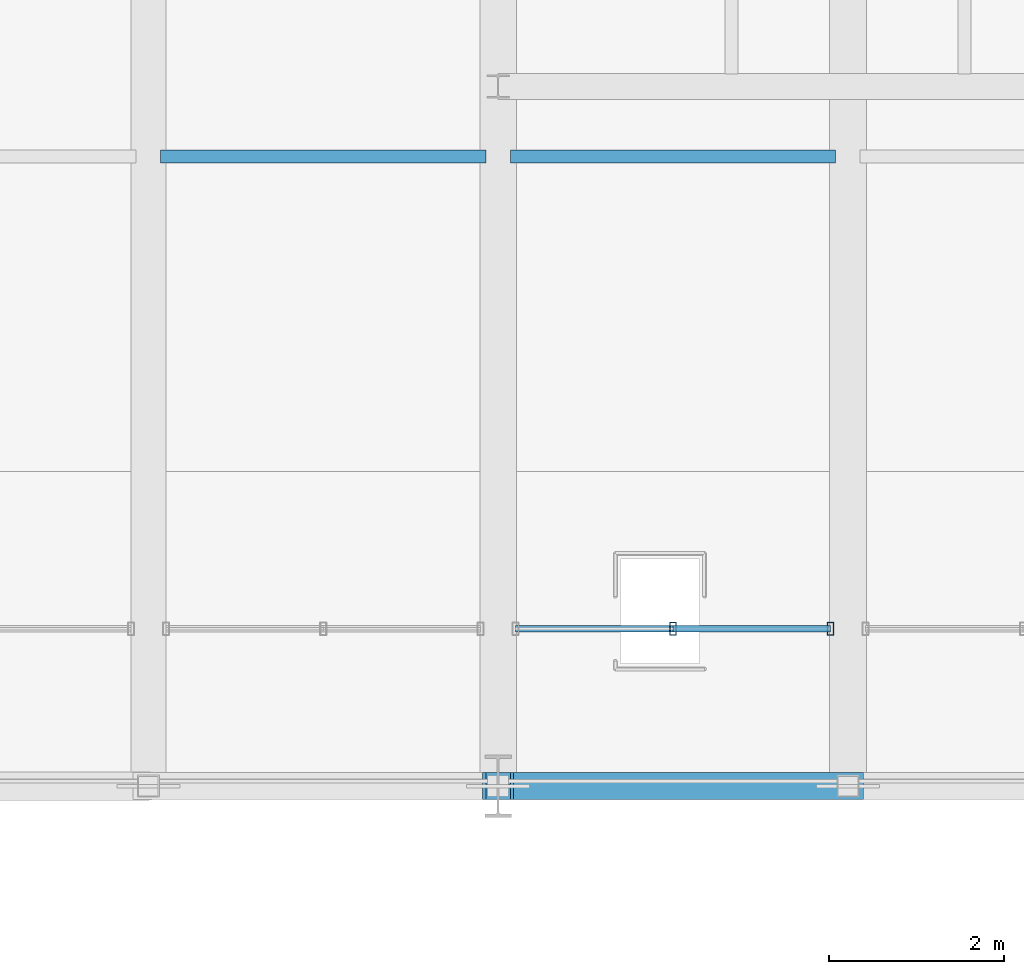
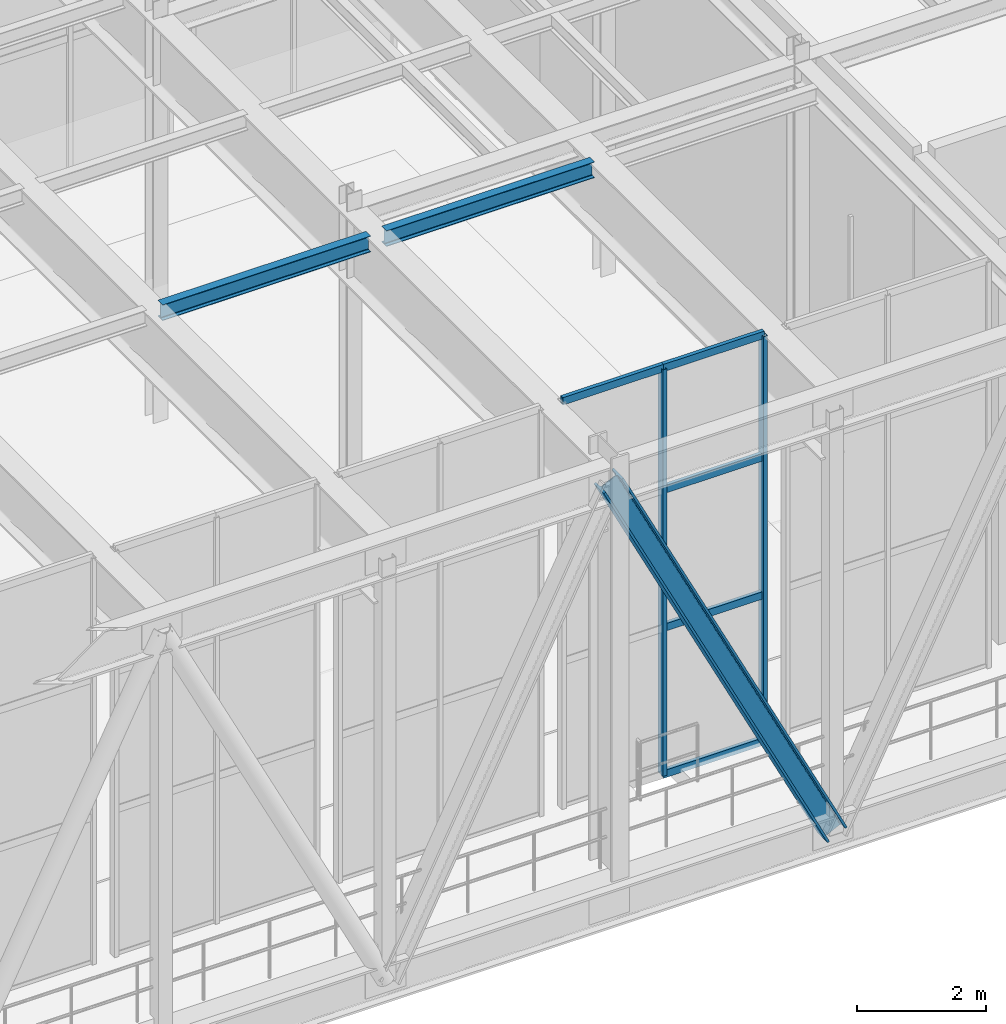
# One storey, part 21 of 138: 8 members, 2 beams, 1 element without a shape of its own.
"""IFC4 building model written with IfcOpenShell, lengths in metres."""

from ifc_helpers import new_model, si_unit, direction, frame, origin, origin_2d, place, context, subcontext, project, spatial, hollow_rectangle, i_section, extrude, material, material_profile, profile_set, type_object, element, aggregate, save


model = new_model("IFC4")

# Units and contexts
model_context = context("Model", 3, precision=1e-05, world=origin(), true_north=direction((0.0, 1.0)))
body_context = subcontext(model_context, "Body", "Model", "MODEL_VIEW")
ifc_project = project(units=[si_unit("LENGTHUNIT", "METRE"), si_unit("AREAUNIT", "SQUARE_METRE"), si_unit("VOLUMEUNIT", "CUBIC_METRE"), si_unit("PLANEANGLEUNIT", "RADIAN"), si_unit("MASSUNIT", "GRAM", prefix="KILO")], contexts=[model_context])

# Site, building, storey
site_placement = place(None, origin())
site = spatial("IfcSite", under=ifc_project, at=site_placement, CompositionType="ELEMENT")
building_placement = place(site_placement, origin())
building = spatial("IfcBuilding", under=site, at=building_placement, Name="Sundkrona Museum", CompositionType="ELEMENT")
storey_placement = place(building_placement, frame((0.0, 0.0, 9.60009765625)))
storey = spatial("IfcBuildingStorey", under=building, at=storey_placement, Name="L02", CompositionType="ELEMENT", Elevation=9.60009765625)

# Beams
ifc_material_1 = material(Name="Steel S355J2", Category="steel")
ifc_material_profile_1 = material_profile(ifc_material_1, i_section(OverallWidth=0.14990234375, OverallDepth=0.300048828125, WebThickness=0.007080078125, FlangeThickness=0.0107421875, FilletRadius=0.014892578125, at=origin_2d()), Name="IPE 300")
ifc_profile_set_1 = profile_set([ifc_material_profile_1], Name="Steel S355J2")
beam_type = type_object("IfcBeamType", Name="J-IPE300", PredefinedType="JOIST", material=ifc_profile_set_1)
for number, where, z_axis, x_axis, name in (
    (1, (12.139892578125, 39.199951171875, 7.52490234375), (1.0, 0.0, 0.0), (0.0, 1.0, 0.0), "L02 Cantilever Floor Joist"),
    (2, (16.139892578125, 39.199951171875, 7.52490234375), (1.0, 0.0, 0.0), (0.0, 1.0, 0.0), "L02 Cantilever Floor Joist"),
):
    element("IfcBeam", number, at=place(storey_placement, frame(where, z_axis=z_axis, x_axis=x_axis)), inside=storey, type_object=beam_type, Name=name, PredefinedType="JOIST", context=body_context, shape_type="SweptSolid", body=[
        extrude(i_section(OverallWidth=0.14990234375, OverallDepth=0.300048828125, WebThickness=0.007080078125, FlangeThickness=0.0107421875, FilletRadius=0.014892578125, at=origin_2d()), origin(), (0.0, 0.0, 1.0), 3.72021484375),
    ])

# Curtain wall, members
ifc_material_2 = material(Name="Unitised Aluminium-Steel and Ceramic-Clad Curtain Walling", Category="steel")
curtain_wall_type = type_object("IfcCurtainWallType", Name="CW-CV-36x74", PredefinedType="NOTDEFINED", material=ifc_material_2)
curtain_wall_placement = place(storey_placement, origin())
curtain_wall = element("IfcCurtainWall", 3, at=curtain_wall_placement, inside=storey, type_object=curtain_wall_type, Name="L02 Curtain Wall CW-L02-148", PredefinedType="NOTDEFINED")
ifc_material_3 = material(Name="Aluminium EN AW-6060 T66", Category="aluminium")
ifc_material_profile_2 = material_profile(ifc_material_3, hollow_rectangle(XDim=0.074951171875, YDim=0.14990234375, WallThickness=0.00634765625, at=origin_2d()), Name="RHS 150x75x6.3")
ifc_profile_set_2 = profile_set([ifc_material_profile_2], Name="Aluminium EN AW-6060 T66")
member_type_1 = type_object("IfcMemberType", Name="ML-150", PredefinedType="MULLION", material=ifc_profile_set_2)
member_1_placement = place(storey_placement, frame((18.0, 33.800048828125, -0.004150390625), z_axis=(0.0, 0.0, 1.0), x_axis=(1.0, 0.0, 0.0)))
member_1 = element("IfcMember", 4, at=member_1_placement, type_object=member_type_1, Name="CW-L02-148 Mullion 02", PredefinedType="MULLION", context=body_context, shape_type="SweptSolid", body=[
    extrude(hollow_rectangle(XDim=0.074951171875, YDim=0.14990234375, WallThickness=0.00634765625, at=origin_2d()), origin(), (0.0, 0.0, 1.0), 7.68310546875),
])
member_2_placement = place(storey_placement, frame((19.800048828125, 33.800048828125, -0.004150390625), z_axis=(0.0, 0.0, 1.0), x_axis=(1.0, 0.0, 0.0)))
member_2 = element("IfcMember", 5, at=member_2_placement, type_object=member_type_1, Name="CW-L02-148 Mullion 03", PredefinedType="MULLION", context=body_context, shape_type="SweptSolid", body=[
    extrude(hollow_rectangle(XDim=0.074951171875, YDim=0.14990234375, WallThickness=0.00634765625, at=origin_2d()), origin(), (0.0, 0.0, 1.0), 7.68310546875),
])

# Member
ifc_material_4 = material(Name="Steel S460M", Category="steel")
ifc_material_profile_3 = material_profile(ifc_material_4, i_section(OverallWidth=0.30810546875, OverallDepth=0.39501953125, WebThickness=0.02099609375, FlangeThickness=0.0400390625, FilletRadius=0.027099609375, at=origin_2d()), Name="HEM 360")
ifc_profile_set_3 = profile_set([ifc_material_profile_3], Name="Steel S460M")
member_type_2 = type_object("IfcMemberType", Name="ST-HEM360", PredefinedType="STRUT", material=ifc_profile_set_3)
member_3_placement = place(storey_placement, frame((16.0, 32.0, 7.31982421875), z_axis=(0.4472135955, 0.0, -0.894427191), x_axis=(0.0, 1.0, 0.0)))
element("IfcMember", 6, at=member_3_placement, inside=storey, type_object=member_type_2, Name="TRS-1 Cantilever Transfer Truss S Web Diagonal 4", PredefinedType="STRUT", context=body_context, shape_type="SweptSolid", body=[
    extrude(i_section(OverallWidth=0.30810546875, OverallDepth=0.39501953125, WebThickness=0.02099609375, FlangeThickness=0.0400390625, FilletRadius=0.027099609375, at=origin_2d()), origin(), (0.0, 0.0, 1.0), 8.9443359375),
])

ifc_material_profile_4 = material_profile(ifc_material_3, hollow_rectangle(XDim=0.070068359375, YDim=0.139892578125, WallThickness=0.0048828125, at=origin_2d()), Name="RHS 140x70x5.0")
ifc_profile_set_4 = profile_set([ifc_material_profile_4], Name="Aluminium EN AW-6060 T66")
member_type_3 = type_object("IfcMemberType", Name="TR-140", PredefinedType="USERDEFINED", material=ifc_profile_set_4)
member_4_placement = place(storey_placement, frame((16.199951171875, 33.800048828125, 7.678955078125), z_axis=(1.0, 0.0, 0.0), x_axis=(0.0, 1.0, 0.0)))
member_4 = element("IfcMember", 7, at=member_4_placement, type_object=member_type_3, Name="CW-L02-148 Transom 04", ObjectType="TRANSOM", PredefinedType="USERDEFINED", context=body_context, shape_type="SweptSolid", body=[
    extrude(hollow_rectangle(XDim=0.070068359375, YDim=0.139892578125, WallThickness=0.0048828125, at=origin_2d()), origin(), (0.0, 0.0, 1.0), 1.800048828125),
])

member_5_placement = place(storey_placement, frame((18.0, 33.800048828125, -0.004150390625), z_axis=(1.0, 0.0, 0.0), x_axis=(0.0, 1.0, 0.0)))
member_5 = element("IfcMember", 8, at=member_5_placement, type_object=member_type_3, Name="CW-L02-148 Transom 05", ObjectType="TRANSOM", PredefinedType="USERDEFINED", context=body_context, shape_type="SweptSolid", body=[
    extrude(hollow_rectangle(XDim=0.070068359375, YDim=0.139892578125, WallThickness=0.0048828125, at=origin_2d()), origin(), (0.0, 0.0, 1.0), 1.800048828125),
])

member_6_placement = place(storey_placement, frame((18.0, 33.800048828125, 2.762939453125), z_axis=(1.0, 0.0, 0.0), x_axis=(0.0, 1.0, 0.0)))
member_6 = element("IfcMember", 9, at=member_6_placement, type_object=member_type_3, Name="CW-L02-148 Transom 06", ObjectType="TRANSOM", PredefinedType="USERDEFINED", context=body_context, shape_type="SweptSolid", body=[
    extrude(hollow_rectangle(XDim=0.070068359375, YDim=0.139892578125, WallThickness=0.0048828125, at=origin_2d()), origin(), (0.0, 0.0, 1.0), 1.800048828125),
])

member_7_placement = place(storey_placement, frame((18.0, 33.800048828125, 5.371826171875), z_axis=(1.0, 0.0, 0.0), x_axis=(0.0, 1.0, 0.0)))
member_7 = element("IfcMember", 10, at=member_7_placement, type_object=member_type_3, Name="CW-L02-148 Transom 07", ObjectType="TRANSOM", PredefinedType="USERDEFINED", context=body_context, shape_type="SweptSolid", body=[
    extrude(hollow_rectangle(XDim=0.070068359375, YDim=0.139892578125, WallThickness=0.0048828125, at=origin_2d()), origin(), (0.0, 0.0, 1.0), 1.800048828125),
])

member_8_placement = place(storey_placement, frame((18.0, 33.800048828125, 7.678955078125), z_axis=(1.0, 0.0, 0.0), x_axis=(0.0, 1.0, 0.0)))
member_8 = element("IfcMember", 11, at=member_8_placement, type_object=member_type_3, Name="CW-L02-148 Transom 08", ObjectType="TRANSOM", PredefinedType="USERDEFINED", context=body_context, shape_type="SweptSolid", body=[
    extrude(hollow_rectangle(XDim=0.070068359375, YDim=0.139892578125, WallThickness=0.0048828125, at=origin_2d()), origin(), (0.0, 0.0, 1.0), 1.800048828125),
])

aggregate(curtain_wall, [member_1, member_2, member_4, member_5, member_6, member_7, member_8])

save(model, "model.ifc")
